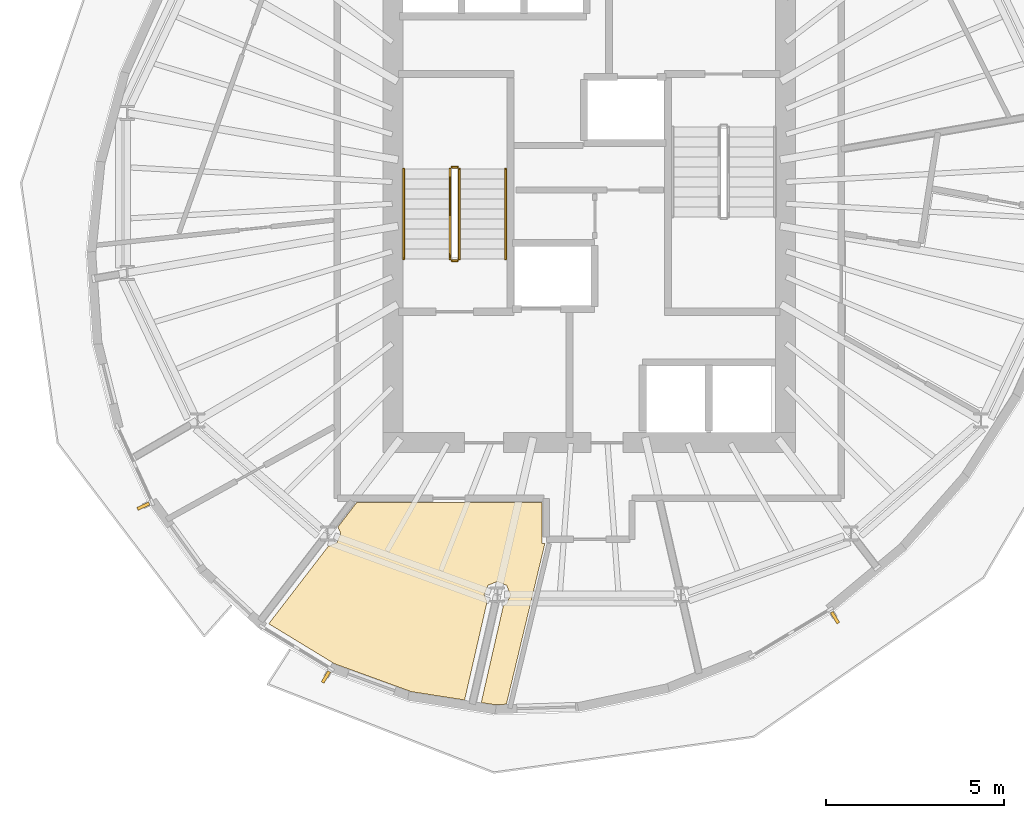
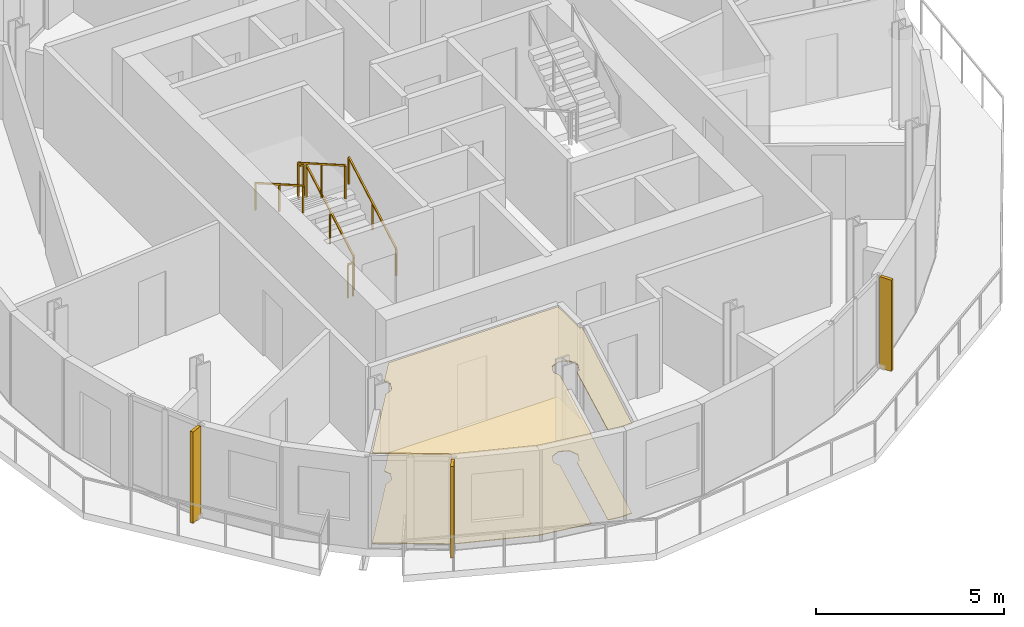
# One storey, part 8 of 11: 6 railings, 3 shading devices, 2 coverings.
"""IFC4 building model written with IfcOpenShell, lengths in metres."""

from ifc_helpers import new_model, si_unit, direction, frame, origin, origin_2d, place, context, subcontext, project, spatial, polyline, rectangle, outline, extrude, material, layer, layer_set, type_object, element, save


model = new_model("IFC4")

# Units and contexts
model_context = context("Model", 3, precision=1e-05, world=origin(), true_north=direction((0.0, 1.0)))
body_context = subcontext(model_context, "Body", "Model", "MODEL_VIEW")
ifc_project = project(units=[si_unit("LENGTHUNIT", "METRE"), si_unit("AREAUNIT", "SQUARE_METRE"), si_unit("VOLUMEUNIT", "CUBIC_METRE"), si_unit("PLANEANGLEUNIT", "RADIAN"), si_unit("MASSUNIT", "GRAM", prefix="KILO")], contexts=[model_context])

# Site, building, storey
site_placement = place(None, origin())
site = spatial("IfcSite", under=ifc_project, at=site_placement, CompositionType="ELEMENT")
building_placement = place(site_placement, origin())
building = spatial("IfcBuilding", under=site, at=building_placement, Name="Veldorim Arch Residences", CompositionType="ELEMENT")
storey_placement = place(building_placement, frame((0.0, 0.0, 214.239990234375)))
storey = spatial("IfcBuildingStorey", under=building, at=storey_placement, Name="L64", CompositionType="ELEMENT", Elevation=214.239990234375)

# Railings
ifc_material_1 = material(Name="Steel S355", Category="steel")
railing_type_1 = type_object("IfcRailingType", Name="Galvanised Steel Stair Safety Guardrail 1100", PredefinedType="GUARDRAIL", material=ifc_material_1)
railing_1_placement = place(storey_placement, frame((28.360107421875, 22.14990234375, 0.159912109375)))
element("IfcRailing", 1, at=railing_1_placement, inside=storey, type_object=railing_type_1, Name="L64 ST-1 stair guard 1", PredefinedType="GUARDRAIL", context=body_context, shape_type="SweptSolid", body=[
    extrude(rectangle(XDim=0.048095703125, YDim=0.048095703125, at=origin_2d()), frame((0.0, 0.0, 1.076171875), z_axis=(0.0, 0.868217259934, 0.496184229447), x_axis=(-1.0, 0.0, 0.0)), (0.0, 0.0, 1.0), 2.902587890625),
    extrude(rectangle(XDim=0.0419921875, YDim=0.0419921875, at=origin_2d()), origin(), (0.0, 0.0, 1.0), 1.052001953125),
    extrude(rectangle(XDim=0.0419921875, YDim=0.0419921875, at=origin_2d()), frame((0.0, 1.260009765625, 0.72021484375)), (0.0, 0.0, 1.0), 1.052001953125),
    extrude(rectangle(XDim=0.0419921875, YDim=0.0419921875, at=origin_2d()), frame((0.0, 2.52001953125, 1.440185546875)), (0.0, 0.0, 1.0), 1.052001953125),
])
railing_2_placement = place(storey_placement, frame((28.31005859375, 24.719970703125, 1.60009765625)))
element("IfcRailing", 2, at=railing_2_placement, inside=storey, type_object=railing_type_1, Name="L64 ST-1 stair guard 2", PredefinedType="GUARDRAIL", context=body_context, shape_type="SweptSolid", body=[
    extrude(rectangle(XDim=0.048095703125, YDim=0.048095703125, at=origin_2d()), frame((0.0, 0.0, 1.076171875), z_axis=(-1.0, 0.0, 0.0), x_axis=(0.0, -1.0, 0.0)), (0.0, 0.0, 1.0), 0.16015625),
    extrude(rectangle(XDim=0.0419921875, YDim=0.0419921875, at=origin_2d()), origin(), (0.0, 0.0, 1.0), 1.052001953125),
    extrude(rectangle(XDim=0.0419921875, YDim=0.0419921875, at=origin_2d()), frame((-0.16015625, 0.0, 0.0)), (0.0, 0.0, 1.0), 1.052001953125),
])
railing_3_placement = place(storey_placement, frame((28.10009765625, 24.669921875, 1.760009765625)))
element("IfcRailing", 3, at=railing_3_placement, inside=storey, type_object=railing_type_1, Name="L64 ST-1 stair guard 3", PredefinedType="GUARDRAIL", context=body_context, shape_type="SweptSolid", body=[
    extrude(rectangle(XDim=0.048095703125, YDim=0.048095703125, at=origin_2d()), frame((0.0, 0.0, 1.076171875), z_axis=(0.0, -0.868253494771, 0.496120820787), x_axis=(1.0, 0.0, 0.0)), (0.0, 0.0, 1.0), 2.90234375),
    extrude(rectangle(XDim=0.0419921875, YDim=0.0419921875, at=origin_2d()), origin(), (0.0, 0.0, 1.0), 1.052001953125),
    extrude(rectangle(XDim=0.0419921875, YDim=0.0419921875, at=origin_2d()), frame((0.0, -1.260009765625, 0.719970703125)), (0.0, 0.0, 1.0), 1.052001953125),
    extrude(rectangle(XDim=0.0419921875, YDim=0.0419921875, at=origin_2d()), frame((0.0, -2.52001953125, 1.43994140625)), (0.0, 0.0, 1.0), 1.052001953125),
])
railing_4_placement = place(storey_placement, frame((28.31005859375, 22.10009765625, 0.0)))
element("IfcRailing", 4, at=railing_4_placement, inside=storey, type_object=railing_type_1, Name="L64 ST-1 stair guard 4", PredefinedType="GUARDRAIL", context=body_context, shape_type="SweptSolid", body=[
    extrude(rectangle(XDim=0.048095703125, YDim=0.048095703125, at=origin_2d()), frame((0.0, 0.0, 1.076171875), z_axis=(-1.0, 0.0, 0.0), x_axis=(0.0, -1.0, 0.0)), (0.0, 0.0, 1.0), 0.16015625),
    extrude(rectangle(XDim=0.0419921875, YDim=0.0419921875, at=origin_2d()), origin(), (0.0, 0.0, 1.0), 1.052001953125),
    extrude(rectangle(XDim=0.0419921875, YDim=0.0419921875, at=origin_2d()), frame((-0.16015625, 0.0, 0.0)), (0.0, 0.0, 1.0), 1.052001953125),
])

# Coverings
ifc_material_2 = material(Name="Acoustic Gypsum & Mineral Fibre", Category="gypsum")
ifc_layer_1 = layer(ifc_material_2, 0.034912109375, Name="Perforated Acoustic Mineral-Fibre Ceiling 35")
ifc_layer_set_1 = layer_set([ifc_layer_1], Name="Acoustic Gypsum & Mineral Fibre")
covering_type_1 = type_object("IfcCoveringType", Name="Perforated Acoustic Mineral-Fibre Ceiling 35", PredefinedType="CEILING", material=ifc_layer_set_1)
covering_1_placement = place(storey_placement, frame((0.0, 0.0, 2.905029296875)))
element("IfcCovering", 5, at=covering_1_placement, inside=storey, type_object=covering_type_1, Name="L64 acoustic suspended ceiling 01", PredefinedType="CEILING", context=body_context, shape_type="SweptSolid", body=[
    extrude(outline(polyline([(24.685302734375, 14.093017578125), (24.927734375, 14.193603515625), (25.035888671875, 14.45458984375), (24.95947265625, 14.63916015625), (25.482666015625, 15.320068359375), (30.679931640625, 15.320068359375), (30.679931640625, 14.169921875), (30.757080078125, 14.169921875), (29.68017578125, 9.671142578125), (29.330078125, 9.660400390625), (28.974365234375, 9.7158203125), (29.597900390625, 12.443115234375), (29.68603515625, 12.4794921875), (29.794189453125, 12.740478515625), (29.68603515625, 13.001708984375), (29.4248046875, 13.110107421875), (29.16357421875, 13.001708984375), (29.055419921875, 12.740478515625), (29.137939453125, 12.54150390625), (28.50830078125, 9.78857421875), (27.019775390625, 10.02099609375), (24.86181640625, 10.804443359375), (23.02001953125, 11.92578125), (24.685302734375, 14.093017578125)])), origin(), (0.0, 0.0, 1.0), 0.034912109375),
])
ifc_material_3 = material(Name="Porcelain Ceramic Tile", Category="ceramic")
ifc_layer_2 = layer(ifc_material_3, 0.02001953125, Name="Slip-Resistant Porcelain & Vinyl Floor Finish 20")
ifc_layer_set_2 = layer_set([ifc_layer_2], Name="Porcelain Ceramic Tile")
covering_type_2 = type_object("IfcCoveringType", Name="Slip-Resistant Porcelain & Vinyl Floor Finish 20", PredefinedType="FLOORING", material=ifc_layer_set_2)
covering_2_placement = place(storey_placement, origin())
element("IfcCovering", 6, at=covering_2_placement, inside=storey, type_object=covering_type_2, Name="L64 porcelain floor finish 01", PredefinedType="FLOORING", context=body_context, shape_type="SweptSolid", body=[
    extrude(outline(polyline([(24.685302734375, 14.093017578125), (24.927734375, 14.193603515625), (25.035888671875, 14.45458984375), (24.95947265625, 14.63916015625), (25.482666015625, 15.320068359375), (30.679931640625, 15.320068359375), (30.679931640625, 14.169921875), (30.757080078125, 14.169921875), (29.68017578125, 9.671142578125), (29.330078125, 9.660400390625), (28.974365234375, 9.7158203125), (29.597900390625, 12.443115234375), (29.68603515625, 12.4794921875), (29.794189453125, 12.740478515625), (29.68603515625, 13.001708984375), (29.4248046875, 13.110107421875), (29.16357421875, 13.001708984375), (29.055419921875, 12.740478515625), (29.137939453125, 12.54150390625), (28.50830078125, 9.78857421875), (27.019775390625, 10.02099609375), (24.86181640625, 10.804443359375), (23.02001953125, 11.92578125), (24.685302734375, 14.093017578125)])), origin(), (0.0, 0.0, 1.0), 0.02001953125),
])

# Railings
ifc_material_4 = material(Name="Stainless Steel", Category="steel")
railing_type_2 = type_object("IfcRailingType", Name="Tubular Steel Continuous Wall Handrail 900", PredefinedType="HANDRAIL", material=ifc_material_4)
railing_5_placement = place(storey_placement, frame((29.659912109375, 22.14990234375, 0.159912109375)))
element("IfcRailing", 7, at=railing_5_placement, inside=storey, type_object=railing_type_2, Name="L64 ST-1 stair handrail 1", PredefinedType="HANDRAIL", context=body_context, shape_type="SweptSolid", body=[
    extrude(rectangle(XDim=0.048095703125, YDim=0.048095703125, at=origin_2d()), frame((0.0, 0.0, 0.8759765625), z_axis=(0.0, 0.868217259934, 0.496184229447), x_axis=(-1.0, 0.0, 0.0)), (0.0, 0.0, 1.0), 2.902587890625),
    extrude(rectangle(XDim=0.0419921875, YDim=0.0419921875, at=origin_2d()), origin(), (0.0, 0.0, 1.0), 0.851806640625),
    extrude(rectangle(XDim=0.0419921875, YDim=0.0419921875, at=origin_2d()), frame((0.0, 1.260009765625, 0.72021484375)), (0.0, 0.0, 1.0), 0.851806640625),
    extrude(rectangle(XDim=0.0419921875, YDim=0.0419921875, at=origin_2d()), frame((0.0, 2.52001953125, 1.440185546875)), (0.0, 0.0, 1.0), 0.851806640625),
])
railing_6_placement = place(storey_placement, frame((26.800048828125, 24.669921875, 1.760009765625)))
element("IfcRailing", 8, at=railing_6_placement, inside=storey, type_object=railing_type_2, Name="L64 ST-1 stair handrail 2", PredefinedType="HANDRAIL", context=body_context, shape_type="SweptSolid", body=[
    extrude(rectangle(XDim=0.048095703125, YDim=0.048095703125, at=origin_2d()), frame((0.0, 0.0, 0.8759765625), z_axis=(0.0, -0.868253494771, 0.496120820787), x_axis=(1.0, 0.0, 0.0)), (0.0, 0.0, 1.0), 2.90234375),
    extrude(rectangle(XDim=0.0419921875, YDim=0.0419921875, at=origin_2d()), origin(), (0.0, 0.0, 1.0), 0.851806640625),
    extrude(rectangle(XDim=0.0419921875, YDim=0.0419921875, at=origin_2d()), frame((0.0, -1.260009765625, 0.719970703125)), (0.0, 0.0, 1.0), 0.851806640625),
    extrude(rectangle(XDim=0.0419921875, YDim=0.0419921875, at=origin_2d()), frame((0.0, -2.52001953125, 1.43994140625)), (0.0, 0.0, 1.0), 0.851806640625),
])

# Shading devices
ifc_material_5 = material(Name="Terracotta Ceramic", Category="masonry")
ifc_layer_3 = layer(ifc_material_5, 0.090087890625, Name="Vertical Extruded Terracotta Baguette Sun-Shading Fin")
ifc_layer_set_3 = layer_set([ifc_layer_3], Name="Terracotta Ceramic")
shading_device_type = type_object("IfcShadingDeviceType", Name="Vertical Extruded Terracotta Baguette Sun-Shading Fin", PredefinedType="USERDEFINED", material=ifc_layer_set_3)
for number, where, z_axis, x_axis, name in (
    (9, (19.50439453125, 15.21923828125, 0.0), (0.0, 0.0, 1.0), (-0.418025632026, 0.908435232127, 0.0), "L64 vertical terracotta sun-shading fin 16"),
    (10, (24.621826171875, 10.4326171875, 0.0), (0.0, 0.0, 1.0), (-0.854186693447, 0.519966434242, 0.0), "L64 vertical terracotta sun-shading fin 19"),
    (11, (38.887939453125, 12.09716796875, 0.0), (0.0, 0.0, 1.0), (-0.858512728225, -0.512792253721, 0.0), "L64 vertical terracotta sun-shading fin 25"),
):
    element("IfcShadingDevice", number, at=place(storey_placement, frame(where, z_axis=z_axis, x_axis=x_axis)), inside=storey, type_object=shading_device_type, Name=name, ObjectType="FIN", PredefinedType="USERDEFINED", context=body_context, shape_type="SweptSolid", body=[
        extrude(rectangle(XDim=0.090087890625, YDim=0.360107421875, at=origin_2d()), origin(), (0.0, 0.0, 1.0), 2.9599609375),
    ])

save(model, "model.ifc")
